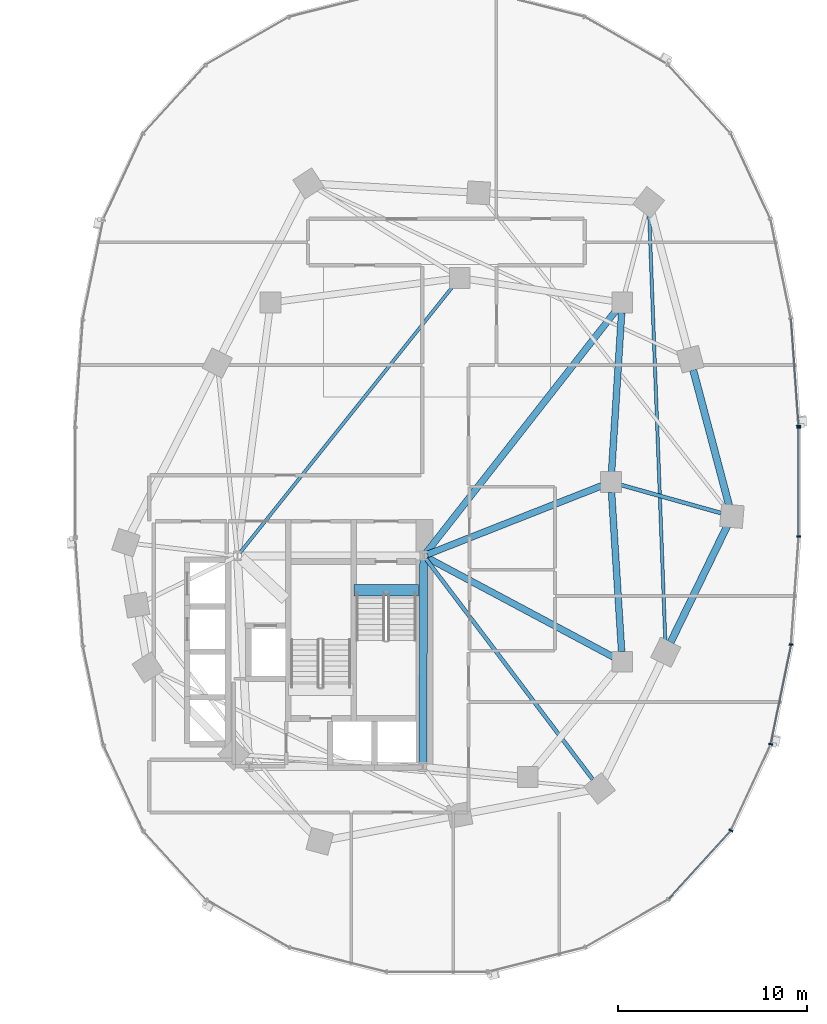
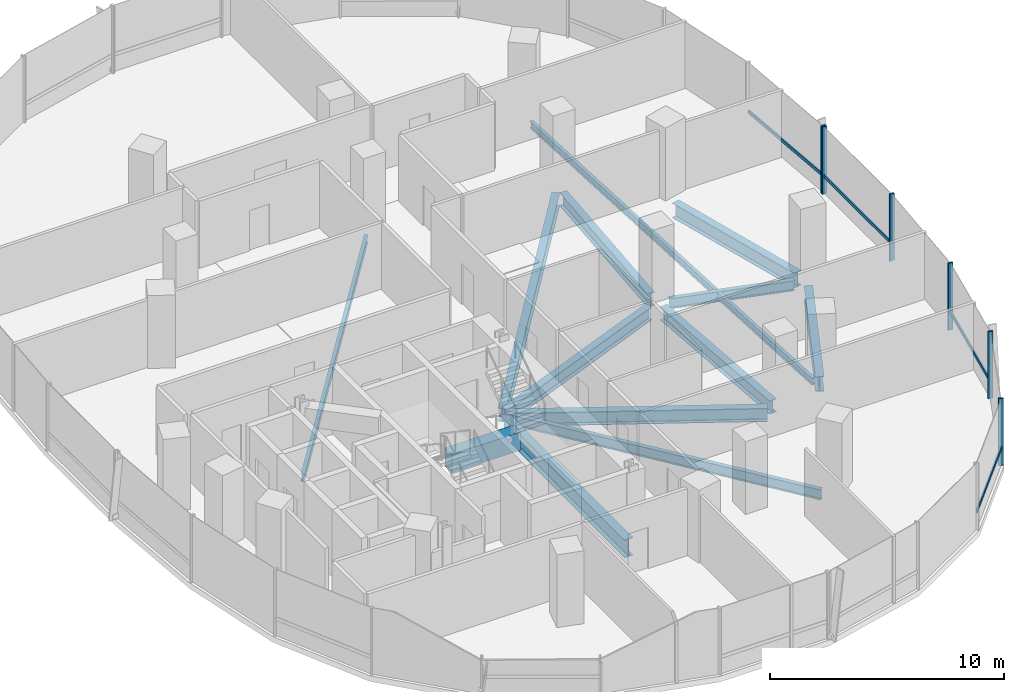
# One storey, part 6 of 22: 13 beams, 10 members, 2 elements without a shape of their own.
"""IFC4 building model written with IfcOpenShell, lengths in metres."""

from ifc_helpers import new_model, si_unit, direction, frame, origin, origin_2d, place, context, subcontext, project, spatial, rectangle, i_section, extrude, material, material_profile, profile_set, type_object, element, aggregate, save


model = new_model("IFC4")

# Units and contexts
model_context = context("Model", 3, precision=1e-05, world=origin(), true_north=direction((0.0, 1.0)))
body_context = subcontext(model_context, "Body", "Model", "MODEL_VIEW")
ifc_project = project(units=[si_unit("LENGTHUNIT", "METRE"), si_unit("AREAUNIT", "SQUARE_METRE"), si_unit("VOLUMEUNIT", "CUBIC_METRE"), si_unit("PLANEANGLEUNIT", "RADIAN"), si_unit("MASSUNIT", "GRAM", prefix="KILO"), si_unit("THERMODYNAMICTEMPERATUREUNIT", "KELVIN"), si_unit("POWERUNIT", "WATT")], contexts=[model_context])

# Site, building, storey
site_placement = place(None, origin())
site = spatial("IfcSite", under=ifc_project, at=site_placement, CompositionType="ELEMENT")
building_placement = place(site_placement, origin())
building = spatial("IfcBuilding", under=site, at=building_placement, Name="Cundina Bronze Exchange", CompositionType="ELEMENT")
storey_placement = place(building_placement, frame((0.0, 0.0, 35.39990234375)))
storey = spatial("IfcBuildingStorey", under=building, at=storey_placement, Name="L08", CompositionType="ELEMENT", Elevation=35.39990234375)

# Beams
ifc_material_1 = material(Name="Concrete C60/75", Category="concrete")
ifc_material_profile_1 = material_profile(ifc_material_1, rectangle(XDim=0.60009765625, YDim=0.949951171875, at=origin_2d()), Name="RC600X950", Category="concrete")
ifc_profile_set_1 = profile_set([ifc_material_profile_1], Name="Concrete C60/75")
beam_type_1 = type_object("IfcBeamType", Name="BM-COUP-RC950", PredefinedType="LINTEL", material=ifc_profile_set_1)
beam_1_placement = place(storey_placement, frame((27.6201171875, -5.719970703125, -0.474853515625), z_axis=(1.0, 0.0, 0.0), x_axis=(0.0, 1.0, 0.0)))
element("IfcBeam", 1, at=beam_1_placement, inside=storey, type_object=beam_type_1, Name="L08 Stair E1 Landing Header Beam", PredefinedType="LINTEL", context=body_context, shape_type="SweptSolid", body=[
    extrude(rectangle(XDim=0.60009765625, YDim=0.949951171875, at=origin_2d()), origin(), (0.0, 0.0, 1.0), 3.39990234375),
])
ifc_material_2 = material(Name="Steel ASTM A992 Grade 50", Category="steel")
ifc_material_profile_2 = material_profile(ifc_material_2, i_section(OverallWidth=0.2099609375, OverallDepth=0.532958984375, WebThickness=0.01025390625, FlangeThickness=0.015625, FilletRadius=0.013916015625, at=origin_2d()), Name="W21X62", Category="steel")
ifc_profile_set_2 = profile_set([ifc_material_profile_2], Name="Steel ASTM A992 Grade 50")
beam_type_2 = type_object("IfcBeamType", Name="BM-FLR-W21B", PredefinedType="BEAM", material=ifc_profile_set_2)
beam_2_placement = place(storey_placement, frame((31.423095703125, -4.062744140625, -0.56640625), z_axis=(0.603106461849, -0.797660702101, 0.0), x_axis=(0.797660702101, 0.603106461849, 0.0)))
element("IfcBeam", 2, at=beam_2_placement, inside=storey, type_object=beam_type_2, Name="L08 Leg E Chordal Floor Beam 06", PredefinedType="BEAM", context=body_context, shape_type="SweptSolid", body=[
    extrude(i_section(OverallWidth=0.2099609375, OverallDepth=0.532958984375, WebThickness=0.01025390625, FlangeThickness=0.015625, FilletRadius=0.013916015625, at=origin_2d()), origin(), (0.0, 0.0, 1.0), 14.6279296875),
])
beam_3_placement = place(storey_placement, frame((41.718017578125, -0.145751953125, -0.56640625), z_axis=(0.962650219971, -0.270748137554, 0.0), x_axis=(0.270748137554, 0.962650219971, 0.0)))
element("IfcBeam", 3, at=beam_3_placement, inside=storey, type_object=beam_type_2, Name="L08 Leg E Chordal Floor Beam 08", PredefinedType="BEAM", context=body_context, shape_type="SweptSolid", body=[
    extrude(i_section(OverallWidth=0.2099609375, OverallDepth=0.532958984375, WebThickness=0.01025390625, FlangeThickness=0.015625, FilletRadius=0.013916015625, at=origin_2d()), origin(), (0.0, 0.0, 1.0), 5.522216796875),
])
ifc_material_profile_3 = material_profile(ifc_material_2, i_section(OverallWidth=0.172119140625, OverallDepth=0.35791015625, WebThickness=0.0078125, FlangeThickness=0.01318359375, FilletRadius=0.010009765625, at=origin_2d()), Name="W14X38", Category="steel")
ifc_profile_set_3 = profile_set([ifc_material_profile_3], Name="Steel ASTM A992 Grade 50")
beam_type_3 = type_object("IfcBeamType", Name="BM-JST-W14", PredefinedType="JOIST", material=ifc_profile_set_3)
beam_4_placement = place(storey_placement, frame((21.577392578125, -3.740478515625, -0.47900390625), z_axis=(0.62436887964, 0.781129632095, 0.0), x_axis=(-0.781129632095, 0.62436887964, 0.0)))
element("IfcBeam", 4, at=beam_4_placement, inside=storey, type_object=beam_type_3, Name="L08 E Interior Core-to-Ring Joist 2", PredefinedType="JOIST", context=body_context, shape_type="SweptSolid", body=[
    extrude(i_section(OverallWidth=0.172119140625, OverallDepth=0.35791015625, WebThickness=0.0078125, FlangeThickness=0.01318359375, FilletRadius=0.010009765625, at=origin_2d()), origin(), (0.0, 0.0, 1.0), 18.076904296875),
])
beam_5_placement = place(storey_placement, frame((44.077880859375, -8.412353515625, -0.47900390625), z_axis=(-0.037794949147, 0.999285515666, 0.0), x_axis=(-0.999285515666, -0.037794949147, 0.0)))
element("IfcBeam", 5, at=beam_5_placement, inside=storey, type_object=beam_type_3, Name="L08 Leg E Lobe Floor Joist 07-10", PredefinedType="JOIST", context=body_context, shape_type="SweptSolid", body=[
    extrude(i_section(OverallWidth=0.172119140625, OverallDepth=0.35791015625, WebThickness=0.0078125, FlangeThickness=0.01318359375, FilletRadius=0.010009765625, at=origin_2d()), origin(), (0.0, 0.0, 1.0), 22.640869140625),
])
ifc_material_profile_4 = material_profile(ifc_material_2, i_section(OverallWidth=0.35498046875, OverallDepth=0.695068359375, WebThickness=0.015380859375, FlangeThickness=0.02490234375, FilletRadius=0.01806640625, at=origin_2d()), Name="W27X146", Category="steel")
ifc_profile_set_4 = profile_set([ifc_material_profile_4], Name="Steel ASTM A992 Grade 50")
beam_type_4 = type_object("IfcBeamType", Name="BM-RING-W27", PredefinedType="USERDEFINED", material=ifc_profile_set_4)
for number, where, z_axis, x_axis, name in (
    (6, (41.76611328125, -8.963134765625, -0.6474609375), (-0.06303715519, 0.998011180832, 0.0), (-0.998011180832, -0.06303715519, 0.0), "L08 E Inner Structural Ring Girder 03"),
    (7, (41.23388671875, 0.536865234375, -0.6474609375), (0.06303715519, 0.998011180832, 0.0), (-0.998011180832, 0.06303715519, 0.0), "L08 E Inner Structural Ring Girder 04"),
):
    element("IfcBeam", number, at=place(storey_placement, frame(where, z_axis=z_axis, x_axis=x_axis)), inside=storey, type_object=beam_type_4, Name=name, ObjectType="GIRDER", PredefinedType="USERDEFINED", context=body_context, shape_type="SweptSolid", body=[
        extrude(i_section(OverallWidth=0.35498046875, OverallDepth=0.695068359375, WebThickness=0.015380859375, FlangeThickness=0.02490234375, FilletRadius=0.01806640625, at=origin_2d()), origin(), (0.0, 0.0, 1.0), 8.443115234375),
    ])
beam_6_placement = place(storey_placement, frame((31.48974609375, -3.8251953125, -0.6474609375), z_axis=(0.930413235418, 0.366512225388, 0.0), x_axis=(-0.366512225388, 0.930413235418, 0.0)))
element("IfcBeam", 8, at=beam_6_placement, inside=storey, type_object=beam_type_4, Name="L08 E Core-to-Waist Tie Beam 1", ObjectType="GIRDER", PredefinedType="USERDEFINED", context=body_context, shape_type="SweptSolid", body=[
    extrude(i_section(OverallWidth=0.35498046875, OverallDepth=0.695068359375, WebThickness=0.015380859375, FlangeThickness=0.02490234375, FilletRadius=0.01806640625, at=origin_2d()), origin(), (0.0, 0.0, 1.0), 9.8984375),
])
beam_7_placement = place(storey_placement, frame((31.47998046875, -3.99609375, -0.6474609375), z_axis=(0.882354758239, -0.470584828286, 0.0), x_axis=(0.470584828286, 0.882354758239, 0.0)))
element("IfcBeam", 9, at=beam_7_placement, inside=storey, type_object=beam_type_4, Name="L08 E Core-to-Waist Tie Beam 2", ObjectType="GIRDER", PredefinedType="USERDEFINED", context=body_context, shape_type="SweptSolid", body=[
    extrude(i_section(OverallWidth=0.35498046875, OverallDepth=0.695068359375, WebThickness=0.015380859375, FlangeThickness=0.02490234375, FilletRadius=0.01806640625, at=origin_2d()), origin(), (0.0, 0.0, 1.0), 11.157958984375),
])
beam_8_placement = place(storey_placement, frame((31.42578125, -3.739501953125, -0.6474609375), z_axis=(0.616789275748, 0.787128318206, 0.0), x_axis=(-0.787128318206, 0.616789275748, 0.0)))
element("IfcBeam", 10, at=beam_8_placement, inside=storey, type_object=beam_type_4, Name="L08 E Core-to-Waist Tie Beam 3", ObjectType="GIRDER", PredefinedType="USERDEFINED", context=body_context, shape_type="SweptSolid", body=[
    extrude(i_section(OverallWidth=0.35498046875, OverallDepth=0.695068359375, WebThickness=0.015380859375, FlangeThickness=0.02490234375, FilletRadius=0.01806640625, at=origin_2d()), origin(), (0.0, 0.0, 1.0), 16.281982421875),
])
ifc_material_profile_5 = material_profile(ifc_material_2, i_section(OverallWidth=0.381103515625, OverallDepth=0.77294921875, WebThickness=0.0166015625, FlangeThickness=0.027099609375, FilletRadius=0.01904296875, at=origin_2d()), Name="W30X173", Category="steel")
ifc_profile_set_5 = profile_set([ifc_material_profile_5], Name="Steel ASTM A992 Grade 50")
beam_type_5 = type_object("IfcBeamType", Name="BM-RING-W30", PredefinedType="USERDEFINED", material=ifc_profile_set_5)
beam_9_placement = place(storey_placement, frame((44.357177734375, -8.47119140625, -0.6865234375), z_axis=(0.437190698904, 0.899368830231, 0.0), x_axis=(-0.899368830231, 0.437190698904, 0.0)))
element("IfcBeam", 11, at=beam_9_placement, inside=storey, type_object=beam_type_5, Name="L08 E Perimeter Ring Girder 07", ObjectType="GIRDER", PredefinedType="USERDEFINED", context=body_context, shape_type="SweptSolid", body=[
    extrude(i_section(OverallWidth=0.381103515625, OverallDepth=0.77294921875, WebThickness=0.0166015625, FlangeThickness=0.027099609375, FilletRadius=0.01904296875, at=origin_2d()), origin(), (0.0, 0.0, 1.0), 6.82958984375),
])
beam_10_placement = place(storey_placement, frame((47.44921875, -1.231689453125, -0.6865234375), z_axis=(-0.256177785604, 0.966629682021, 0.0), x_axis=(-0.966629682021, -0.256177785604, 0.0)))
element("IfcBeam", 12, at=beam_10_placement, inside=storey, type_object=beam_type_5, Name="L08 E Perimeter Ring Girder 08", ObjectType="GIRDER", PredefinedType="USERDEFINED", context=body_context, shape_type="SweptSolid", body=[
    extrude(i_section(OverallWidth=0.381103515625, OverallDepth=0.77294921875, WebThickness=0.0166015625, FlangeThickness=0.027099609375, FilletRadius=0.01904296875, at=origin_2d()), origin(), (0.0, 0.0, 1.0), 7.41064453125),
])
ifc_material_profile_6 = material_profile(ifc_material_2, i_section(OverallWidth=0.41796875, OverallDepth=0.927001953125, WebThickness=0.019287109375, FlangeThickness=0.031982421875, FilletRadius=0.02392578125, at=origin_2d()), Name="W36X231", Category="steel")
ifc_profile_set_6 = profile_set([ifc_material_profile_6], Name="Steel ASTM A992 Grade 50")
beam_type_6 = type_object("IfcBeamType", Name="BM-WRN-W36B", PredefinedType="USERDEFINED", material=ifc_profile_set_6)
beam_11_placement = place(storey_placement, frame((31.2509765625, -14.845947265625, -0.763427734375), z_axis=(0.004477329608, 0.99998997671, 0.0), x_axis=(-0.99998997671, 0.004477329608, 0.0)))
element("IfcBeam", 13, at=beam_11_placement, inside=storey, type_object=beam_type_6, Name="L08 E Core Perimeter Tie Girder 4", ObjectType="GIRDER", PredefinedType="USERDEFINED", context=body_context, shape_type="SweptSolid", body=[
    extrude(i_section(OverallWidth=0.41796875, OverallDepth=0.927001953125, WebThickness=0.019287109375, FlangeThickness=0.031982421875, FilletRadius=0.02392578125, at=origin_2d()), origin(), (0.0, 0.0, 1.0), 10.741943359375),
])

# Curtain wall, member
ifc_material_3 = material(Name="Anodised Bronze Aluminium 6063-T6", Category="aluminium")
curtain_wall_type = type_object("IfcCurtainWallType", Name="CWS-TRD-LOW", PredefinedType="NOTDEFINED", material=ifc_material_3)
curtain_wall_1_placement = place(storey_placement, origin())
curtain_wall_1 = element("IfcCurtainWall", 14, at=curtain_wall_1_placement, inside=storey, type_object=curtain_wall_type, Name="L08 CW-02 Curtain Wall Run CWR-L08-E1", PredefinedType="NOTDEFINED")
ifc_material_profile_7 = material_profile(ifc_material_3, rectangle(XDim=0.074951171875, YDim=0.219970703125, at=origin_2d()), Name="AL75X220", Category="aluminium")
ifc_profile_set_7 = profile_set([ifc_material_profile_7], Name="Anodised Bronze Aluminium 6063-T6")
member_type_1 = type_object("IfcMemberType", Name="CWM-MUL-220", PredefinedType="MULLION", material=ifc_profile_set_7)
member_1_placement = place(storey_placement, frame((51.12451171875, 2.976318359375, 0.0), z_axis=(0.0, 0.0, 1.0), x_axis=(-0.070278787473, 0.997527389113, 0.0)))
member_1 = element("IfcMember", 15, at=member_1_placement, type_object=member_type_1, Name="CW-02 Mullion 1", PredefinedType="MULLION", context=body_context, shape_type="SweptSolid", body=[
    extrude(rectangle(XDim=0.074951171875, YDim=0.219970703125, at=origin_2d()), origin(), (0.0, 0.0, 1.0), 3.5),
])

# Curtain wall, members
curtain_wall_2_placement = place(storey_placement, origin())
curtain_wall_2 = element("IfcCurtainWall", 16, at=curtain_wall_2_placement, inside=storey, type_object=curtain_wall_type, Name="L08 CW-02 Curtain Wall Run CWR-L08-E4", PredefinedType="NOTDEFINED")
member_2_placement = place(storey_placement, frame((47.544189453125, -18.423583984375, 0.0), z_axis=(0.0, 0.0, 1.0), x_axis=(0.42087749791, 0.907117485088, 0.0)))
member_2 = element("IfcMember", 17, at=member_2_placement, type_object=member_type_1, Name="CW-02 Mullion 4", PredefinedType="MULLION", context=body_context, shape_type="SweptSolid", body=[
    extrude(rectangle(XDim=0.074951171875, YDim=0.219970703125, at=origin_2d()), origin(), (0.0, 0.0, 1.0), 3.5),
])
member_3_placement = place(storey_placement, frame((49.651123046875, -13.861328125, 0.0), z_axis=(0.0, 0.0, 1.0), x_axis=(0.201419845156, 0.979505000486, 0.0)))
member_3 = element("IfcMember", 18, at=member_3_placement, type_object=member_type_1, Name="CW-02 Mullion 5", PredefinedType="MULLION", context=body_context, shape_type="SweptSolid", body=[
    extrude(rectangle(XDim=0.074951171875, YDim=0.219970703125, at=origin_2d()), origin(), (0.0, 0.0, 1.0), 3.5),
])
member_4_placement = place(storey_placement, frame((50.72900390625, -8.591552734375, 0.0), z_axis=(0.0, 0.0, 1.0), x_axis=(0.070278787473, 0.997527389113, 0.0)))
member_4 = element("IfcMember", 19, at=member_4_placement, type_object=member_type_1, Name="CW-02 Mullion 6", PredefinedType="MULLION", context=body_context, shape_type="SweptSolid", body=[
    extrude(rectangle(XDim=0.074951171875, YDim=0.219970703125, at=origin_2d()), origin(), (0.0, 0.0, 1.0), 3.5),
])
member_5_placement = place(storey_placement, frame((51.1279296875, -2.880615234375, 0.0), z_axis=(0.0, 0.0, 1.0), x_axis=(0.0, 1.0, 0.0)))
member_5 = element("IfcMember", 20, at=member_5_placement, type_object=member_type_1, Name="CW-02 Mullion 7", PredefinedType="MULLION", context=body_context, shape_type="SweptSolid", body=[
    extrude(rectangle(XDim=0.074951171875, YDim=0.219970703125, at=origin_2d()), origin(), (0.0, 0.0, 1.0), 3.5),
])
member_6_placement = place(storey_placement, frame((51.1279296875, 2.880615234375, 0.0), z_axis=(0.0, 0.0, 1.0), x_axis=(0.0, 1.0, 0.0)))
member_6 = element("IfcMember", 21, at=member_6_placement, type_object=member_type_1, Name="CW-02 End Mullion", PredefinedType="MULLION", context=body_context, shape_type="SweptSolid", body=[
    extrude(rectangle(XDim=0.074951171875, YDim=0.219970703125, at=origin_2d()), origin(), (0.0, 0.0, 1.0), 3.5),
])

# Member
ifc_material_profile_8 = material_profile(ifc_material_3, rectangle(XDim=0.070068359375, YDim=0.179931640625, at=origin_2d()), Name="AL70X180", Category="aluminium")
ifc_profile_set_8 = profile_set([ifc_material_profile_8], Name="Anodised Bronze Aluminium 6063-T6")
member_type_2 = type_object("IfcMemberType", Name="CWM-TRN-180", PredefinedType="USERDEFINED", material=ifc_profile_set_8)
member_7_placement = place(storey_placement, frame((51.12158203125, 3.017333984375, 0.920166015625), z_axis=(-0.070260714471, 0.997528662246, 0.0), x_axis=(-0.997528662246, -0.070260714471, 0.0)))
member_7 = element("IfcMember", 22, at=member_7_placement, type_object=member_type_2, Name="CW-02 Spandrel Transom 1", ObjectType="TRANSOM", PredefinedType="USERDEFINED", context=body_context, shape_type="SweptSolid", body=[
    extrude(rectangle(XDim=0.070068359375, YDim=0.179931640625, at=origin_2d()), origin(), (0.0, 0.0, 1.0), 5.629150390625),
])

aggregate(curtain_wall_1, [member_1, member_7])

member_8_placement = place(storey_placement, frame((44.26708984375, -22.027099609375, 0.920166015625), z_axis=(0.674302794847, 0.738454968743, 0.0), x_axis=(-0.738454968743, 0.674302794847, 0.0)))
member_8 = element("IfcMember", 23, at=member_8_placement, type_object=member_type_2, Name="CW-02 Spandrel Transom 3", ObjectType="TRANSOM", PredefinedType="USERDEFINED", context=body_context, shape_type="SweptSolid", body=[
    extrude(rectangle(XDim=0.070068359375, YDim=0.179931640625, at=origin_2d()), origin(), (0.0, 0.0, 1.0), 4.848388671875),
])

member_9_placement = place(storey_placement, frame((49.659423828125, -13.821044921875, 0.920166015625), z_axis=(0.201427712708, 0.979503382615, 0.0), x_axis=(-0.979503382615, 0.201427712708, 0.0)))
member_9 = element("IfcMember", 24, at=member_9_placement, type_object=member_type_2, Name="CW-02 Spandrel Transom 5", ObjectType="TRANSOM", PredefinedType="USERDEFINED", context=body_context, shape_type="SweptSolid", body=[
    extrude(rectangle(XDim=0.070068359375, YDim=0.179931640625, at=origin_2d()), origin(), (0.0, 0.0, 1.0), 5.291748046875),
])

member_10_placement = place(storey_placement, frame((51.1279296875, -2.839111328125, 0.920166015625), z_axis=(0.0, 1.0, 0.0), x_axis=(-1.0, 0.0, 0.0)))
member_10 = element("IfcMember", 25, at=member_10_placement, type_object=member_type_2, Name="CW-02 Spandrel Transom 7", ObjectType="TRANSOM", PredefinedType="USERDEFINED", context=body_context, shape_type="SweptSolid", body=[
    extrude(rectangle(XDim=0.070068359375, YDim=0.179931640625, at=origin_2d()), origin(), (0.0, 0.0, 1.0), 5.67822265625),
])

aggregate(curtain_wall_2, [member_8, member_2, member_3, member_9, member_4, member_5, member_6, member_10])

save(model, "model.ifc")
